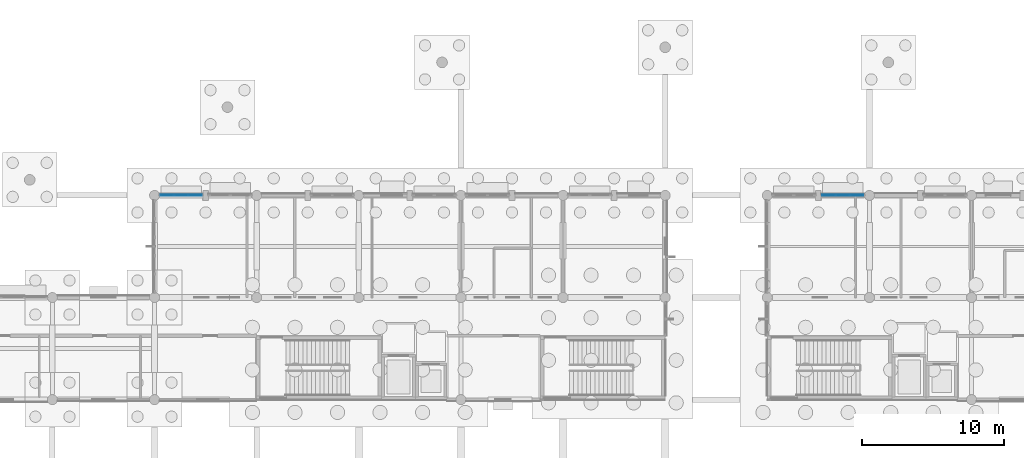
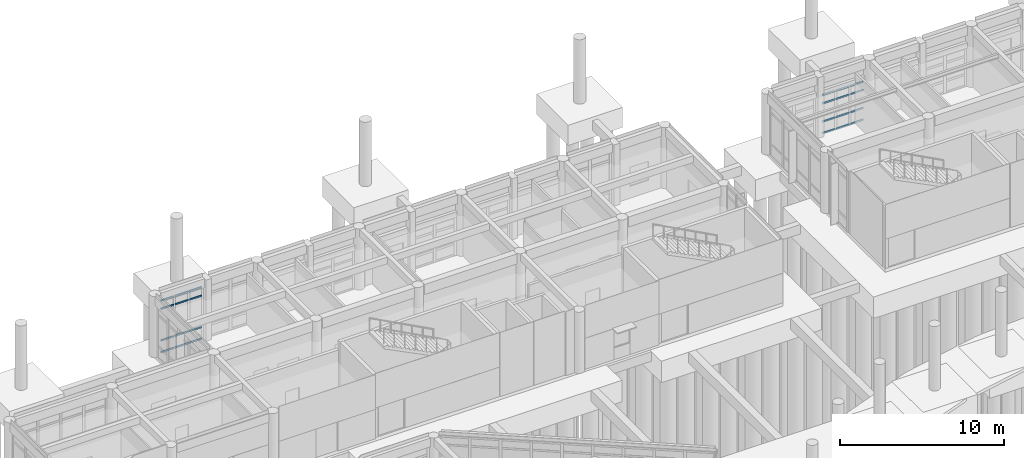
# One storey, part 39 of 103: 24 members, 2 elements without a shape of their own.
"""IFC4 building model written with IfcOpenShell, lengths in metres."""

from ifc_helpers import new_model, si_unit, direction, frame, origin, origin_2d, place, context, subcontext, project, spatial, rectangle, extrude, material, layer, layer_set, material_profile, profile_set, type_object, element, aggregate, save


model = new_model("IFC4")

# Units and contexts
model_context = context("Model", 3, precision=1e-05, world=origin(), true_north=direction((0.0, 1.0)))
body_context = subcontext(model_context, "Body", "Model", "MODEL_VIEW")
ifc_project = project(units=[si_unit("LENGTHUNIT", "METRE"), si_unit("AREAUNIT", "SQUARE_METRE"), si_unit("VOLUMEUNIT", "CUBIC_METRE"), si_unit("PLANEANGLEUNIT", "RADIAN"), si_unit("MASSUNIT", "GRAM", prefix="KILO")], contexts=[model_context])

# Site, building, storey
site_placement = place(None, origin())
site = spatial("IfcSite", under=ifc_project, at=site_placement, CompositionType="ELEMENT")
building_placement = place(site_placement, origin())
building = spatial("IfcBuilding", under=site, at=building_placement, Name="Namkhue Oval Health Centre", CompositionType="ELEMENT")
storey_placement = place(building_placement, origin())
storey = spatial("IfcBuildingStorey", under=building, at=storey_placement, Name="L00", CompositionType="ELEMENT", Elevation=0.0)

# Curtain wall, members
ifc_material = material(Name="Anodised aluminium EN AW-6063 T6", Category="aluminium")
ifc_layer = layer(ifc_material, 0.159912109375)
ifc_layer_set = layer_set([ifc_layer], Name="Anodised aluminium EN AW-6063 T6")
curtain_wall_type = type_object("IfcCurtainWallType", Name="UNITISED CURTAIN WALL M1200", PredefinedType="NOTDEFINED", material=ifc_layer_set)
curtain_wall_1_placement = place(storey_placement, origin())
curtain_wall_1 = element("IfcCurtainWall", 1, at=curtain_wall_1_placement, inside=storey, type_object=curtain_wall_type, Name="Volume V2 L00 Unitised Curtain Wall 43", PredefinedType="NOTDEFINED")
ifc_material_profile = material_profile(ifc_material, rectangle(XDim=0.06494140625, YDim=0.1201171875, at=origin_2d()), Name="ALU 65x120")
ifc_profile_set = profile_set([ifc_material_profile], Name="Anodised aluminium EN AW-6063 T6")
member_type = type_object("IfcMemberType", Name="CURTAIN WALL TRANSOM 65X120", PredefinedType="USERDEFINED", material=ifc_profile_set)
member_1_placement = place(storey_placement, frame((53.72412109375, 104.39990234375, 0.032470703125), z_axis=(-1.0, 0.0, 0.0), x_axis=(0.0, -1.0, 0.0)))
member_1 = element("IfcMember", 2, at=member_1_placement, type_object=member_type, Name="CW-01 transom 1.1", ObjectType="TRANSOM", PredefinedType="USERDEFINED", context=body_context, shape_type="SweptSolid", body=[
    extrude(rectangle(XDim=0.06494140625, YDim=0.1201171875, at=origin_2d()), origin(), (0.0, 0.0, 1.0), 0.912353515625),
])
member_2_placement = place(storey_placement, frame((53.72412109375, 104.39990234375, 0.89990234375), z_axis=(-1.0, 0.0, 0.0), x_axis=(0.0, -1.0, 0.0)))
member_2 = element("IfcMember", 3, at=member_2_placement, type_object=member_type, Name="CW-01 transom 1.2", ObjectType="TRANSOM", PredefinedType="USERDEFINED", context=body_context, shape_type="SweptSolid", body=[
    extrude(rectangle(XDim=0.06494140625, YDim=0.1201171875, at=origin_2d()), origin(), (0.0, 0.0, 1.0), 0.912353515625),
])
member_3_placement = place(storey_placement, frame((53.72412109375, 104.39990234375, 3.260009765625), z_axis=(-1.0, 0.0, 0.0), x_axis=(0.0, -1.0, 0.0)))
member_3 = element("IfcMember", 4, at=member_3_placement, type_object=member_type, Name="CW-01 transom 1.3", ObjectType="TRANSOM", PredefinedType="USERDEFINED", context=body_context, shape_type="SweptSolid", body=[
    extrude(rectangle(XDim=0.06494140625, YDim=0.1201171875, at=origin_2d()), origin(), (0.0, 0.0, 1.0), 0.912353515625),
])
member_4_placement = place(storey_placement, frame((53.72412109375, 104.39990234375, 3.87744140625), z_axis=(-1.0, 0.0, 0.0), x_axis=(0.0, -1.0, 0.0)))
member_4 = element("IfcMember", 5, at=member_4_placement, type_object=member_type, Name="CW-01 transom 1.4", ObjectType="TRANSOM", PredefinedType="USERDEFINED", context=body_context, shape_type="SweptSolid", body=[
    extrude(rectangle(XDim=0.06494140625, YDim=0.1201171875, at=origin_2d()), origin(), (0.0, 0.0, 1.0), 0.912353515625),
])
member_5_placement = place(storey_placement, frame((52.746826171875, 104.39990234375, 0.032470703125), z_axis=(-1.0, 0.0, 0.0), x_axis=(0.0, -1.0, 0.0)))
member_5 = element("IfcMember", 6, at=member_5_placement, type_object=member_type, Name="CW-01 transom 2.1", ObjectType="TRANSOM", PredefinedType="USERDEFINED", context=body_context, shape_type="SweptSolid", body=[
    extrude(rectangle(XDim=0.06494140625, YDim=0.1201171875, at=origin_2d()), origin(), (0.0, 0.0, 1.0), 0.944580078125),
])
member_6_placement = place(storey_placement, frame((52.746826171875, 104.39990234375, 0.89990234375), z_axis=(-1.0, 0.0, 0.0), x_axis=(0.0, -1.0, 0.0)))
member_6 = element("IfcMember", 7, at=member_6_placement, type_object=member_type, Name="CW-01 transom 2.2", ObjectType="TRANSOM", PredefinedType="USERDEFINED", context=body_context, shape_type="SweptSolid", body=[
    extrude(rectangle(XDim=0.06494140625, YDim=0.1201171875, at=origin_2d()), origin(), (0.0, 0.0, 1.0), 0.944580078125),
])
member_7_placement = place(storey_placement, frame((52.746826171875, 104.39990234375, 3.260009765625), z_axis=(-1.0, 0.0, 0.0), x_axis=(0.0, -1.0, 0.0)))
member_7 = element("IfcMember", 8, at=member_7_placement, type_object=member_type, Name="CW-01 transom 2.3", ObjectType="TRANSOM", PredefinedType="USERDEFINED", context=body_context, shape_type="SweptSolid", body=[
    extrude(rectangle(XDim=0.06494140625, YDim=0.1201171875, at=origin_2d()), origin(), (0.0, 0.0, 1.0), 0.944580078125),
])
member_8_placement = place(storey_placement, frame((52.746826171875, 104.39990234375, 3.87744140625), z_axis=(-1.0, 0.0, 0.0), x_axis=(0.0, -1.0, 0.0)))
member_8 = element("IfcMember", 9, at=member_8_placement, type_object=member_type, Name="CW-01 transom 2.4", ObjectType="TRANSOM", PredefinedType="USERDEFINED", context=body_context, shape_type="SweptSolid", body=[
    extrude(rectangle(XDim=0.06494140625, YDim=0.1201171875, at=origin_2d()), origin(), (0.0, 0.0, 1.0), 0.944580078125),
])
member_9_placement = place(storey_placement, frame((51.737060546875, 104.39990234375, 0.032470703125), z_axis=(-1.0, 0.0, 0.0), x_axis=(0.0, -1.0, 0.0)))
member_9 = element("IfcMember", 10, at=member_9_placement, type_object=member_type, Name="CW-01 transom 3.1", ObjectType="TRANSOM", PredefinedType="USERDEFINED", context=body_context, shape_type="SweptSolid", body=[
    extrude(rectangle(XDim=0.06494140625, YDim=0.1201171875, at=origin_2d()), origin(), (0.0, 0.0, 1.0), 0.912109375),
])
member_10_placement = place(storey_placement, frame((51.737060546875, 104.39990234375, 0.89990234375), z_axis=(-1.0, 0.0, 0.0), x_axis=(0.0, -1.0, 0.0)))
member_10 = element("IfcMember", 11, at=member_10_placement, type_object=member_type, Name="CW-01 transom 3.2", ObjectType="TRANSOM", PredefinedType="USERDEFINED", context=body_context, shape_type="SweptSolid", body=[
    extrude(rectangle(XDim=0.06494140625, YDim=0.1201171875, at=origin_2d()), origin(), (0.0, 0.0, 1.0), 0.912109375),
])
member_11_placement = place(storey_placement, frame((51.737060546875, 104.39990234375, 3.260009765625), z_axis=(-1.0, 0.0, 0.0), x_axis=(0.0, -1.0, 0.0)))
member_11 = element("IfcMember", 12, at=member_11_placement, type_object=member_type, Name="CW-01 transom 3.3", ObjectType="TRANSOM", PredefinedType="USERDEFINED", context=body_context, shape_type="SweptSolid", body=[
    extrude(rectangle(XDim=0.06494140625, YDim=0.1201171875, at=origin_2d()), origin(), (0.0, 0.0, 1.0), 0.912109375),
])
member_12_placement = place(storey_placement, frame((51.737060546875, 104.39990234375, 3.87744140625), z_axis=(-1.0, 0.0, 0.0), x_axis=(0.0, -1.0, 0.0)))
member_12 = element("IfcMember", 13, at=member_12_placement, type_object=member_type, Name="CW-01 transom 3.4", ObjectType="TRANSOM", PredefinedType="USERDEFINED", context=body_context, shape_type="SweptSolid", body=[
    extrude(rectangle(XDim=0.06494140625, YDim=0.1201171875, at=origin_2d()), origin(), (0.0, 0.0, 1.0), 0.912109375),
])
aggregate(curtain_wall_1, [member_1, member_2, member_3, member_4, member_5, member_6, member_7, member_8, member_9, member_10, member_11, member_12])

curtain_wall_2_placement = place(storey_placement, origin())
curtain_wall_2 = element("IfcCurtainWall", 14, at=curtain_wall_2_placement, inside=storey, type_object=curtain_wall_type, Name="Volume V3 L00 Unitised Curtain Wall 97", PredefinedType="NOTDEFINED")
member_13_placement = place(storey_placement, frame((100.375, 104.39990234375, 0.032470703125), z_axis=(-1.0, 0.0, 0.0), x_axis=(0.0, -1.0, 0.0)))
member_13 = element("IfcMember", 15, at=member_13_placement, type_object=member_type, Name="CW-01 transom 1.1", ObjectType="TRANSOM", PredefinedType="USERDEFINED", context=body_context, shape_type="SweptSolid", body=[
    extrude(rectangle(XDim=0.06494140625, YDim=0.1201171875, at=origin_2d()), origin(), (0.0, 0.0, 1.0), 0.912109375),
])
member_14_placement = place(storey_placement, frame((100.375, 104.39990234375, 0.89990234375), z_axis=(-1.0, 0.0, 0.0), x_axis=(0.0, -1.0, 0.0)))
member_14 = element("IfcMember", 16, at=member_14_placement, type_object=member_type, Name="CW-01 transom 1.2", ObjectType="TRANSOM", PredefinedType="USERDEFINED", context=body_context, shape_type="SweptSolid", body=[
    extrude(rectangle(XDim=0.06494140625, YDim=0.1201171875, at=origin_2d()), origin(), (0.0, 0.0, 1.0), 0.912109375),
])
member_15_placement = place(storey_placement, frame((100.375, 104.39990234375, 2.25), z_axis=(-1.0, 0.0, 0.0), x_axis=(0.0, -1.0, 0.0)))
member_15 = element("IfcMember", 17, at=member_15_placement, type_object=member_type, Name="CW-01 transom 1.3", ObjectType="TRANSOM", PredefinedType="USERDEFINED", context=body_context, shape_type="SweptSolid", body=[
    extrude(rectangle(XDim=0.06494140625, YDim=0.1201171875, at=origin_2d()), origin(), (0.0, 0.0, 1.0), 0.912109375),
])
member_16_placement = place(storey_placement, frame((100.375, 104.39990234375, 2.867431640625), z_axis=(-1.0, 0.0, 0.0), x_axis=(0.0, -1.0, 0.0)))
member_16 = element("IfcMember", 18, at=member_16_placement, type_object=member_type, Name="CW-01 transom 1.4", ObjectType="TRANSOM", PredefinedType="USERDEFINED", context=body_context, shape_type="SweptSolid", body=[
    extrude(rectangle(XDim=0.06494140625, YDim=0.1201171875, at=origin_2d()), origin(), (0.0, 0.0, 1.0), 0.912109375),
])
member_17_placement = place(storey_placement, frame((99.39794921875, 104.39990234375, 0.032470703125), z_axis=(-1.0, 0.0, 0.0), x_axis=(0.0, -1.0, 0.0)))
member_17 = element("IfcMember", 19, at=member_17_placement, type_object=member_type, Name="CW-01 transom 2.1", ObjectType="TRANSOM", PredefinedType="USERDEFINED", context=body_context, shape_type="SweptSolid", body=[
    extrude(rectangle(XDim=0.06494140625, YDim=0.1201171875, at=origin_2d()), origin(), (0.0, 0.0, 1.0), 0.94482421875),
])
member_18_placement = place(storey_placement, frame((99.39794921875, 104.39990234375, 0.89990234375), z_axis=(-1.0, 0.0, 0.0), x_axis=(0.0, -1.0, 0.0)))
member_18 = element("IfcMember", 20, at=member_18_placement, type_object=member_type, Name="CW-01 transom 2.2", ObjectType="TRANSOM", PredefinedType="USERDEFINED", context=body_context, shape_type="SweptSolid", body=[
    extrude(rectangle(XDim=0.06494140625, YDim=0.1201171875, at=origin_2d()), origin(), (0.0, 0.0, 1.0), 0.94482421875),
])
member_19_placement = place(storey_placement, frame((99.39794921875, 104.39990234375, 2.25), z_axis=(-1.0, 0.0, 0.0), x_axis=(0.0, -1.0, 0.0)))
member_19 = element("IfcMember", 21, at=member_19_placement, type_object=member_type, Name="CW-01 transom 2.3", ObjectType="TRANSOM", PredefinedType="USERDEFINED", context=body_context, shape_type="SweptSolid", body=[
    extrude(rectangle(XDim=0.06494140625, YDim=0.1201171875, at=origin_2d()), origin(), (0.0, 0.0, 1.0), 0.94482421875),
])
member_20_placement = place(storey_placement, frame((99.39794921875, 104.39990234375, 2.867431640625), z_axis=(-1.0, 0.0, 0.0), x_axis=(0.0, -1.0, 0.0)))
member_20 = element("IfcMember", 22, at=member_20_placement, type_object=member_type, Name="CW-01 transom 2.4", ObjectType="TRANSOM", PredefinedType="USERDEFINED", context=body_context, shape_type="SweptSolid", body=[
    extrude(rectangle(XDim=0.06494140625, YDim=0.1201171875, at=origin_2d()), origin(), (0.0, 0.0, 1.0), 0.94482421875),
])
member_21_placement = place(storey_placement, frame((98.38818359375, 104.39990234375, 0.032470703125), z_axis=(-1.0, 0.0, 0.0), x_axis=(0.0, -1.0, 0.0)))
member_21 = element("IfcMember", 23, at=member_21_placement, type_object=member_type, Name="CW-01 transom 3.1", ObjectType="TRANSOM", PredefinedType="USERDEFINED", context=body_context, shape_type="SweptSolid", body=[
    extrude(rectangle(XDim=0.06494140625, YDim=0.1201171875, at=origin_2d()), origin(), (0.0, 0.0, 1.0), 0.912109375),
])
member_22_placement = place(storey_placement, frame((98.38818359375, 104.39990234375, 0.89990234375), z_axis=(-1.0, 0.0, 0.0), x_axis=(0.0, -1.0, 0.0)))
member_22 = element("IfcMember", 24, at=member_22_placement, type_object=member_type, Name="CW-01 transom 3.2", ObjectType="TRANSOM", PredefinedType="USERDEFINED", context=body_context, shape_type="SweptSolid", body=[
    extrude(rectangle(XDim=0.06494140625, YDim=0.1201171875, at=origin_2d()), origin(), (0.0, 0.0, 1.0), 0.912109375),
])
member_23_placement = place(storey_placement, frame((98.38818359375, 104.39990234375, 2.25), z_axis=(-1.0, 0.0, 0.0), x_axis=(0.0, -1.0, 0.0)))
member_23 = element("IfcMember", 25, at=member_23_placement, type_object=member_type, Name="CW-01 transom 3.3", ObjectType="TRANSOM", PredefinedType="USERDEFINED", context=body_context, shape_type="SweptSolid", body=[
    extrude(rectangle(XDim=0.06494140625, YDim=0.1201171875, at=origin_2d()), origin(), (0.0, 0.0, 1.0), 0.912109375),
])
member_24_placement = place(storey_placement, frame((98.38818359375, 104.39990234375, 2.867431640625), z_axis=(-1.0, 0.0, 0.0), x_axis=(0.0, -1.0, 0.0)))
member_24 = element("IfcMember", 26, at=member_24_placement, type_object=member_type, Name="CW-01 transom 3.4", ObjectType="TRANSOM", PredefinedType="USERDEFINED", context=body_context, shape_type="SweptSolid", body=[
    extrude(rectangle(XDim=0.06494140625, YDim=0.1201171875, at=origin_2d()), origin(), (0.0, 0.0, 1.0), 0.912109375),
])
aggregate(curtain_wall_2, [member_13, member_14, member_15, member_16, member_17, member_18, member_19, member_20, member_21, member_22, member_23, member_24])

save(model, "model.ifc")
